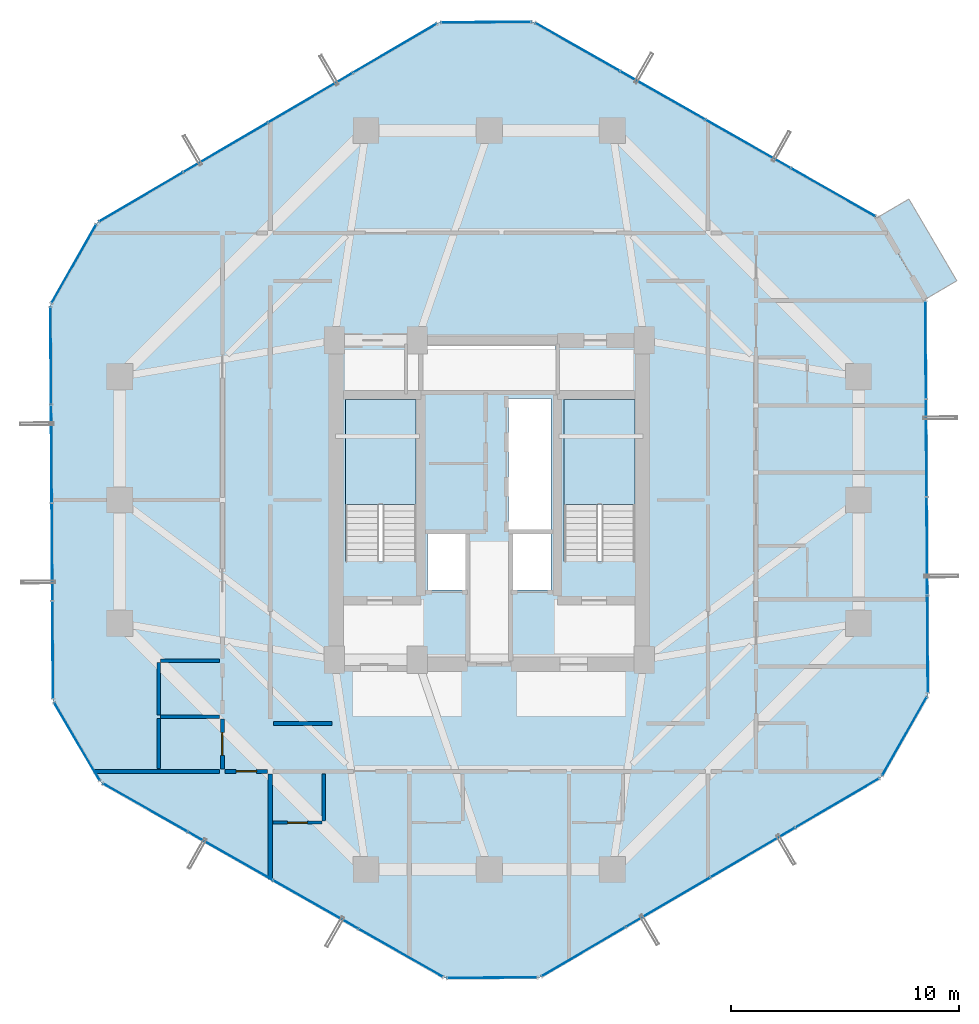
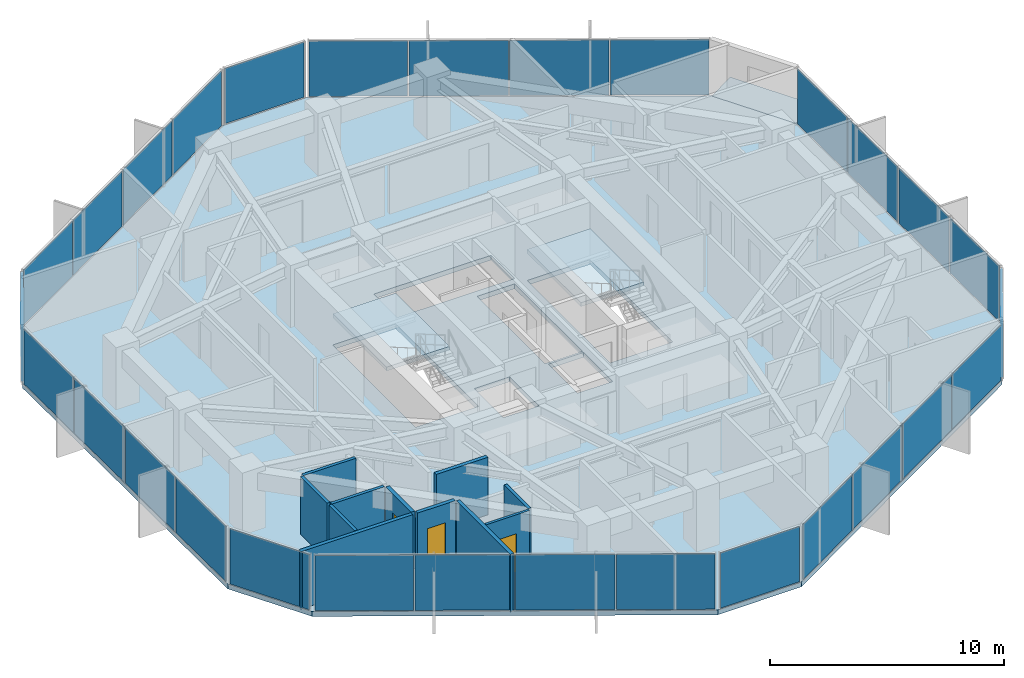
# One storey, part 25 of 30: 29 plates, 11 walls, 4 slabs, 3 doors, 3 openings, 13 elements without a shape of their own.
"""IFC4 building model written with IfcOpenShell, lengths in metres."""

from ifc_helpers import new_model, si_unit, direction, frame, frame_2d, origin, origin_2d, place, context, subcontext, project, spatial, polyline, rectangle, outline, extrude, source, transform, mapped, material, layer, layer_set, type_object, element, fill, aggregate, save


model = new_model("IFC4")

# Units and contexts
model_context = context("Model", 3, precision=1e-05, world=origin(), true_north=direction((0.0, 1.0)))
body_context = subcontext(model_context, "Body", "Model", "MODEL_VIEW")
ifc_project = project(units=[si_unit("LENGTHUNIT", "METRE"), si_unit("AREAUNIT", "SQUARE_METRE"), si_unit("VOLUMEUNIT", "CUBIC_METRE"), si_unit("PLANEANGLEUNIT", "RADIAN"), si_unit("MASSUNIT", "GRAM", prefix="KILO")], contexts=[model_context])

# Site, building, storey
site_placement = place(None, origin())
site = spatial("IfcSite", under=ifc_project, at=site_placement, CompositionType="ELEMENT")
building_placement = place(site_placement, origin())
building = spatial("IfcBuilding", under=site, at=building_placement, Name="Veraguas Prism Commons", CompositionType="ELEMENT")
storey_placement = place(building_placement, frame((0.0, 0.0, 129.5)))
storey = spatial("IfcBuildingStorey", under=building, at=storey_placement, Name="L36", CompositionType="ELEMENT", Elevation=129.5)

# Stair, slab
ifc_material_1 = material(Name="Precast concrete C45/55", Category="concrete")
stair_type = type_object("IfcStairType", Name="Dogleg Core Stair 1480W 20R 05", PredefinedType="HALF_TURN_STAIR", material=ifc_material_1)
stair_1_placement = place(storey_placement, origin())
stair_1 = element("IfcStair", 1, at=stair_1_placement, inside=storey, type_object=stair_type, Name="Protected Exit Stair ST-01 L36", PredefinedType="HALF_TURN_STAIR")
ifc_layer_1 = layer(ifc_material_1, 0.199951171875, Name="Precast Stair and Ramp Landing Slab 200", Category="concrete")
ifc_layer_set_1 = layer_set([ifc_layer_1], Name="Precast concrete C45/55")
slab_type_1 = type_object("IfcSlabType", Name="Precast Stair and Ramp Landing Slab 200", PredefinedType="LANDING", material=ifc_layer_set_1)
slab_1_placement = place(storey_placement, frame((0.0, 0.0, 1.425048828125)))
slab_1 = element("IfcSlab", 2, at=slab_1_placement, type_object=slab_type_1, Name="ST-05 Landing 1", PredefinedType="LANDING", context=body_context, shape_type="SweptSolid", body=[
    extrude(outline(polyline([(20.800048828125, 23.800048828125), (20.800048828125, 28.39990234375), (17.68994140625, 28.39990234375), (17.68994140625, 23.800048828125), (20.800048828125, 23.800048828125)])), origin(), (0.0, 0.0, 1.0), 0.199951171875),
])
aggregate(stair_1, [slab_1])

stair_2_placement = place(storey_placement, origin())
stair_2 = element("IfcStair", 3, at=stair_2_placement, inside=storey, type_object=stair_type, Name="Protected Exit Stair ST-02 L36", PredefinedType="HALF_TURN_STAIR")
slab_2_placement = place(storey_placement, frame((0.0, 0.0, 1.425048828125)))
slab_2 = element("IfcSlab", 4, at=slab_2_placement, type_object=slab_type_1, Name="ST-05 Landing 1", PredefinedType="LANDING", context=body_context, shape_type="SweptSolid", body=[
    extrude(outline(polyline([(30.39990234375, 23.800048828125), (30.39990234375, 28.39990234375), (27.2900390625, 28.39990234375), (27.2900390625, 23.800048828125), (30.39990234375, 23.800048828125)])), origin(), (0.0, 0.0, 1.0), 0.199951171875),
])
aggregate(stair_2, [slab_2])

# Slabs
ifc_material_2 = material(Name="Concrete C45/55", Category="concrete")
ifc_layer_2 = layer(ifc_material_2, 0.219970703125, Name="Recessed Loggia and Terrace Slab RC 220", Category="concrete")
ifc_layer_set_2 = layer_set([ifc_layer_2], Name="Concrete C45/55")
slab_type_2 = type_object("IfcSlabType", Name="Recessed Loggia and Terrace Slab RC 220", PredefinedType="FLOOR", material=ifc_layer_set_2)
slab_3_placement = place(storey_placement, frame((0.0, 0.0, -0.219970703125)))
element("IfcSlab", 5, at=slab_3_placement, inside=storey, type_object=slab_type_2, Name="Recessed Corner Loggia L36-C1", PredefinedType="FLOOR", context=body_context, shape_type="SweptSolid", body=[
    extrude(outline(polyline([(43.107177734375, 32.794189453125), (44.5048828125, 33.61328125), (42.404296875, 37.1962890625), (41.0068359375, 36.376953125), (43.107177734375, 32.794189453125)])), origin(), (0.0, 0.0, 1.0), 0.219970703125),
])
ifc_layer_3 = layer(ifc_material_2, 0.25, Name="Tower Lower Residential Floor Slab RC 250", Category="concrete")
ifc_layer_set_3 = layer_set([ifc_layer_3], Name="Concrete C45/55")
slab_type_3 = type_object("IfcSlabType", Name="Tower Lower Residential Floor Slab RC 250", PredefinedType="FLOOR", material=ifc_layer_set_3)
slab_4_placement = place(storey_placement, frame((0.0, 0.0, -0.25)))
element("IfcSlab", 6, at=slab_4_placement, inside=storey, type_object=slab_type_3, Name="Tower Floor Slab L36", PredefinedType="FLOOR", context=body_context, shape_type="SweptSolid", body=[
    extrude(outline(polyline([(43.12451171875, 32.80419921875), (41.024169921875, 36.38720703125), (25.9375, 44.96435546875), (21.784423828125, 44.93701171875), (6.81298828125, 36.16015625), (4.760498046875, 32.5498046875), (4.87548828125, 15.19580078125), (6.975830078125, 11.61279296875), (22.0625, 3.03564453125), (26.215576171875, 3.06298828125), (41.18701171875, 11.83984375), (43.239501953125, 15.4501953125), (43.12451171875, 32.80419921875)]), holes=[polyline([(20.800048828125, 21.31005859375), (20.800048828125, 28.39990234375), (17.68994140625, 28.39990234375), (17.68994140625, 21.31005859375), (20.800048828125, 21.31005859375)]), polyline([(30.39990234375, 21.31005859375), (30.39990234375, 28.39990234375), (27.2900390625, 28.39990234375), (27.2900390625, 21.31005859375), (30.39990234375, 21.31005859375)]), polyline([(24.85009765625, 22.64990234375), (26.699951171875, 22.64990234375), (26.699951171875, 28.449951171875), (24.85009765625, 28.449951171875), (24.85009765625, 22.64990234375)]), polyline([(21.10009765625, 28.800048828125), (26.89990234375, 28.800048828125), (26.89990234375, 30.800048828125), (21.10009765625, 30.800048828125), (21.10009765625, 28.800048828125)]), polyline([(21.300048828125, 20.050048828125), (23.050048828125, 20.050048828125), (23.050048828125, 22.550048828125), (21.300048828125, 22.550048828125), (21.300048828125, 20.050048828125)]), polyline([(24.949951171875, 20.050048828125), (26.699951171875, 20.050048828125), (26.699951171875, 22.550048828125), (24.949951171875, 22.550048828125), (24.949951171875, 20.050048828125)])]), origin(), (0.0, 0.0, 1.0), 0.25),
])

# Curtain wall, plates
ifc_material_3 = material(Name="Anodised aluminium EN AW-6063 T6", Category="aluminium")
ifc_layer_4 = layer(ifc_material_3, 0.169921875, Name="Unitised Flush Curtain Wall Zone 2", Category="aluminium")
ifc_layer_set_4 = layer_set([ifc_layer_4], Name="Anodised aluminium EN AW-6063 T6")
curtain_wall_type = type_object("IfcCurtainWallType", Name="Unitised Flush Curtain Wall Zone 2", PredefinedType="NOTDEFINED", material=ifc_layer_set_4)
curtain_wall_1_placement = place(storey_placement, origin())
curtain_wall_1 = element("IfcCurtainWall", 7, at=curtain_wall_1_placement, inside=storey, type_object=curtain_wall_type, Name="Tower Facade Curtain Wall L36-F1", PredefinedType="NOTDEFINED")
ifc_material_4 = material(Name="Laminated low-e glass", Category="glass")
ifc_layer_5 = layer(ifc_material_4, 0.028076171875, Name="Unitised Double Low-E Glazed Panel 28", Category="glass")
ifc_layer_set_5 = layer_set([ifc_layer_5], Name="Laminated low-e glass")
plate_type = type_object("IfcPlateType", Name="Unitised Double Low-E Glazed Panel 28", PredefinedType="CURTAIN_PANEL", material=ifc_layer_set_5)
shared_shape_1 = source(origin(), body_context, "Body", "SweptSolid", [
    extrude(rectangle(XDim=4.218505859375, YDim=0.028076171875, at=origin_2d()), origin(), (0.0, 0.0, 1.0), 2.889892578125),
])
plate_1_placement = place(storey_placement, frame((39.086181640625, 37.489013671875, 0.05517578125), z_axis=(0.0, 0.0, 1.0), x_axis=(-0.869323320918, 0.494243830218, 0.0)))
plate_1 = element("IfcPlate", 8, at=plate_1_placement, type_object=plate_type, Name="CW-Z2 Panel 1.1", PredefinedType="CURTAIN_PANEL", context=body_context, shape_type="MappedRepresentation", body=[
    mapped(shared_shape_1, transform((0.0, 0.0, 0.0), scale=1.0)),
])
plate_2_placement = place(storey_placement, frame((27.87548828125, 43.862548828125, 0.05517578125), z_axis=(0.0, 0.0, 1.0), x_axis=(-0.869323320918, 0.494243830218, 0.0)))
plate_2 = element("IfcPlate", 9, at=plate_2_placement, type_object=plate_type, Name="CW-Z2 Panel 4.1", PredefinedType="CURTAIN_PANEL", context=body_context, shape_type="MappedRepresentation", body=[
    mapped(shared_shape_1, transform((0.0, 0.0, 0.0), scale=1.0)),
])

curtain_wall_2_placement = place(storey_placement, origin())
curtain_wall_2 = element("IfcCurtainWall", 10, at=curtain_wall_2_placement, inside=storey, type_object=curtain_wall_type, Name="Tower Facade Curtain Wall L36-F2", PredefinedType="NOTDEFINED")
plate_3_placement = place(storey_placement, frame((19.861328125, 43.8095703125, 0.05517578125), z_axis=(0.0, 0.0, 1.0), x_axis=(-0.86268584238, -0.505740187604, 0.0)))
plate_3 = element("IfcPlate", 11, at=plate_3_placement, type_object=plate_type, Name="CW-Z2 Panel 1.1", PredefinedType="CURTAIN_PANEL", context=body_context, shape_type="MappedRepresentation", body=[
    mapped(shared_shape_1, transform((0.0, 0.0, 0.0), scale=1.0)),
])
plate_4_placement = place(storey_placement, frame((8.736328125, 37.28759765625, 0.05517578125), z_axis=(0.0, 0.0, 1.0), x_axis=(-0.86268584238, -0.505740187604, 0.0)))
plate_4 = element("IfcPlate", 12, at=plate_4_placement, type_object=plate_type, Name="CW-Z2 Panel 4.1", PredefinedType="CURTAIN_PANEL", context=body_context, shape_type="MappedRepresentation", body=[
    mapped(shared_shape_1, transform((0.0, 0.0, 0.0), scale=1.0)),
])

curtain_wall_3_placement = place(storey_placement, origin())
curtain_wall_3 = element("IfcCurtainWall", 13, at=curtain_wall_3_placement, inside=storey, type_object=curtain_wall_type, Name="Tower Facade Curtain Wall L36-F3", PredefinedType="NOTDEFINED")
plate_5_placement = place(storey_placement, frame((4.775146484375, 30.320556640625, 0.05517578125), z_axis=(0.0, 0.0, 1.0), x_axis=(0.006632202536, -0.999978006703, 0.0)))
plate_5 = element("IfcPlate", 14, at=plate_5_placement, type_object=plate_type, Name="CW-Z2 Panel 1.1", PredefinedType="CURTAIN_PANEL", context=body_context, shape_type="MappedRepresentation", body=[
    mapped(shared_shape_1, transform((0.0, 0.0, 0.0), scale=1.0)),
])
plate_6_placement = place(storey_placement, frame((4.860595703125, 17.425048828125, 0.05517578125), z_axis=(0.0, 0.0, 1.0), x_axis=(0.006632202536, -0.999978006703, 0.0)))
plate_6 = element("IfcPlate", 15, at=plate_6_placement, type_object=plate_type, Name="CW-Z2 Panel 4.1", PredefinedType="CURTAIN_PANEL", context=body_context, shape_type="MappedRepresentation", body=[
    mapped(shared_shape_1, transform((0.0, 0.0, 0.0), scale=1.0)),
])

curtain_wall_4_placement = place(storey_placement, origin())
curtain_wall_4 = element("IfcCurtainWall", 16, at=curtain_wall_4_placement, inside=storey, type_object=curtain_wall_type, Name="Tower Facade Curtain Wall L36-F4", PredefinedType="NOTDEFINED")
plate_7_placement = place(storey_placement, frame((8.913818359375, 10.510986328125, 0.05517578125), z_axis=(0.0, 0.0, 1.0), x_axis=(0.869323320918, -0.494243830218, 0.0)))
plate_7 = element("IfcPlate", 17, at=plate_7_placement, type_object=plate_type, Name="CW-Z2 Panel 1.1", PredefinedType="CURTAIN_PANEL", context=body_context, shape_type="MappedRepresentation", body=[
    mapped(shared_shape_1, transform((0.0, 0.0, 0.0), scale=1.0)),
])
plate_8_placement = place(storey_placement, frame((20.12451171875, 4.137451171875, 0.05517578125), z_axis=(0.0, 0.0, 1.0), x_axis=(0.869323320918, -0.494243830218, 0.0)))
plate_8 = element("IfcPlate", 18, at=plate_8_placement, type_object=plate_type, Name="CW-Z2 Panel 4.1", PredefinedType="CURTAIN_PANEL", context=body_context, shape_type="MappedRepresentation", body=[
    mapped(shared_shape_1, transform((0.0, 0.0, 0.0), scale=1.0)),
])

curtain_wall_5_placement = place(storey_placement, origin())
curtain_wall_5 = element("IfcCurtainWall", 19, at=curtain_wall_5_placement, inside=storey, type_object=curtain_wall_type, Name="Tower Facade Curtain Wall L36-F5", PredefinedType="NOTDEFINED")
plate_9_placement = place(storey_placement, frame((28.138671875, 4.1904296875, 0.05517578125), z_axis=(0.0, 0.0, 1.0), x_axis=(0.86268584238, 0.505740187604, 0.0)))
plate_9 = element("IfcPlate", 20, at=plate_9_placement, type_object=plate_type, Name="CW-Z2 Panel 1.1", PredefinedType="CURTAIN_PANEL", context=body_context, shape_type="MappedRepresentation", body=[
    mapped(shared_shape_1, transform((0.0, 0.0, 0.0), scale=1.0)),
])
plate_10_placement = place(storey_placement, frame((39.263671875, 10.71240234375, 0.05517578125), z_axis=(0.0, 0.0, 1.0), x_axis=(0.86268584238, 0.505740187604, 0.0)))
plate_10 = element("IfcPlate", 21, at=plate_10_placement, type_object=plate_type, Name="CW-Z2 Panel 4.1", PredefinedType="CURTAIN_PANEL", context=body_context, shape_type="MappedRepresentation", body=[
    mapped(shared_shape_1, transform((0.0, 0.0, 0.0), scale=1.0)),
])

curtain_wall_6_placement = place(storey_placement, origin())
curtain_wall_6 = element("IfcCurtainWall", 22, at=curtain_wall_6_placement, inside=storey, type_object=curtain_wall_type, Name="Tower Facade Curtain Wall L36-F6", PredefinedType="NOTDEFINED")
plate_11_placement = place(storey_placement, frame((43.224853515625, 17.679443359375, 0.05517578125), z_axis=(0.0, 0.0, 1.0), x_axis=(-0.006632202536, 0.999978006703, 0.0)))
plate_11 = element("IfcPlate", 23, at=plate_11_placement, type_object=plate_type, Name="CW-Z2 Panel 1.1", PredefinedType="CURTAIN_PANEL", context=body_context, shape_type="MappedRepresentation", body=[
    mapped(shared_shape_1, transform((0.0, 0.0, 0.0), scale=1.0)),
])
plate_12_placement = place(storey_placement, frame((43.139404296875, 30.574951171875, 0.05517578125), z_axis=(0.0, 0.0, 1.0), x_axis=(-0.006632202536, 0.999978006703, 0.0)))
plate_12 = element("IfcPlate", 24, at=plate_12_placement, type_object=plate_type, Name="CW-Z2 Panel 4.1", PredefinedType="CURTAIN_PANEL", context=body_context, shape_type="MappedRepresentation", body=[
    mapped(shared_shape_1, transform((0.0, 0.0, 0.0), scale=1.0)),
])

# Plate
shared_shape_2 = source(origin(), body_context, "Body", "SweptSolid", [
    extrude(rectangle(XDim=4.24853515625, YDim=0.028076171875, at=origin_2d()), origin(), (0.0, 0.0, 1.0), 2.889892578125),
])
plate_13_placement = place(storey_placement, frame((35.353515625, 39.611083984375, 0.05517578125), z_axis=(0.0, 0.0, 1.0), x_axis=(-0.869323320918, 0.494243830218, 0.0)))
plate_13 = element("IfcPlate", 25, at=plate_13_placement, type_object=plate_type, Name="CW-Z2 Panel 2.1", PredefinedType="CURTAIN_PANEL", context=body_context, shape_type="MappedRepresentation", body=[
    mapped(shared_shape_2, transform((0.0, 0.0, 0.0), scale=1.0)),
])

plate_14_placement = place(storey_placement, frame((31.608154296875, 41.740478515625, 0.05517578125), z_axis=(0.0, 0.0, 1.0), x_axis=(-0.869323320918, 0.494243830218, 0.0)))
plate_14 = element("IfcPlate", 26, at=plate_14_placement, type_object=plate_type, Name="CW-Z2 Panel 3.1", PredefinedType="CURTAIN_PANEL", context=body_context, shape_type="MappedRepresentation", body=[
    mapped(shared_shape_2, transform((0.0, 0.0, 0.0), scale=1.0)),
])

aggregate(curtain_wall_1, [plate_1, plate_13, plate_14, plate_2])

plate_15_placement = place(storey_placement, frame((16.1572265625, 41.63818359375, 0.05517578125), z_axis=(0.0, 0.0, 1.0), x_axis=(-0.86268584238, -0.505740187604, 0.0)))
plate_15 = element("IfcPlate", 27, at=plate_15_placement, type_object=plate_type, Name="CW-Z2 Panel 2.1", PredefinedType="CURTAIN_PANEL", context=body_context, shape_type="MappedRepresentation", body=[
    mapped(shared_shape_2, transform((0.0, 0.0, 0.0), scale=1.0)),
])

plate_16_placement = place(storey_placement, frame((12.4404296875, 39.458984375, 0.05517578125), z_axis=(0.0, 0.0, 1.0), x_axis=(-0.86268584238, -0.505740187604, 0.0)))
plate_16 = element("IfcPlate", 28, at=plate_16_placement, type_object=plate_type, Name="CW-Z2 Panel 3.1", PredefinedType="CURTAIN_PANEL", context=body_context, shape_type="MappedRepresentation", body=[
    mapped(shared_shape_2, transform((0.0, 0.0, 0.0), scale=1.0)),
])

aggregate(curtain_wall_2, [plate_3, plate_15, plate_16, plate_4])

plate_17_placement = place(storey_placement, frame((4.8037109375, 26.027099609375, 0.05517578125), z_axis=(0.0, 0.0, 1.0), x_axis=(0.006632202536, -0.999978006703, 0.0)))
plate_17 = element("IfcPlate", 29, at=plate_17_placement, type_object=plate_type, Name="CW-Z2 Panel 2.1", PredefinedType="CURTAIN_PANEL", context=body_context, shape_type="MappedRepresentation", body=[
    mapped(shared_shape_2, transform((0.0, 0.0, 0.0), scale=1.0)),
])

plate_18_placement = place(storey_placement, frame((4.832275390625, 21.718505859375, 0.05517578125), z_axis=(0.0, 0.0, 1.0), x_axis=(0.006632202536, -0.999978006703, 0.0)))
plate_18 = element("IfcPlate", 30, at=plate_18_placement, type_object=plate_type, Name="CW-Z2 Panel 3.1", PredefinedType="CURTAIN_PANEL", context=body_context, shape_type="MappedRepresentation", body=[
    mapped(shared_shape_2, transform((0.0, 0.0, 0.0), scale=1.0)),
])

aggregate(curtain_wall_3, [plate_5, plate_17, plate_18, plate_6])

plate_19_placement = place(storey_placement, frame((12.646484375, 8.388916015625, 0.05517578125), z_axis=(0.0, 0.0, 1.0), x_axis=(0.869323320918, -0.494243830218, 0.0)))
plate_19 = element("IfcPlate", 31, at=plate_19_placement, type_object=plate_type, Name="CW-Z2 Panel 2.1", PredefinedType="CURTAIN_PANEL", context=body_context, shape_type="MappedRepresentation", body=[
    mapped(shared_shape_2, transform((0.0, 0.0, 0.0), scale=1.0)),
])

plate_20_placement = place(storey_placement, frame((16.391845703125, 6.259521484375, 0.05517578125), z_axis=(0.0, 0.0, 1.0), x_axis=(0.869323320918, -0.494243830218, 0.0)))
plate_20 = element("IfcPlate", 32, at=plate_20_placement, type_object=plate_type, Name="CW-Z2 Panel 3.1", PredefinedType="CURTAIN_PANEL", context=body_context, shape_type="MappedRepresentation", body=[
    mapped(shared_shape_2, transform((0.0, 0.0, 0.0), scale=1.0)),
])

aggregate(curtain_wall_4, [plate_7, plate_19, plate_20, plate_8])

plate_21_placement = place(storey_placement, frame((31.8427734375, 6.36181640625, 0.05517578125), z_axis=(0.0, 0.0, 1.0), x_axis=(0.86268584238, 0.505740187604, 0.0)))
plate_21 = element("IfcPlate", 33, at=plate_21_placement, type_object=plate_type, Name="CW-Z2 Panel 2.1", PredefinedType="CURTAIN_PANEL", context=body_context, shape_type="MappedRepresentation", body=[
    mapped(shared_shape_2, transform((0.0, 0.0, 0.0), scale=1.0)),
])

plate_22_placement = place(storey_placement, frame((35.5595703125, 8.541015625, 0.05517578125), z_axis=(0.0, 0.0, 1.0), x_axis=(0.86268584238, 0.505740187604, 0.0)))
plate_22 = element("IfcPlate", 34, at=plate_22_placement, type_object=plate_type, Name="CW-Z2 Panel 3.1", PredefinedType="CURTAIN_PANEL", context=body_context, shape_type="MappedRepresentation", body=[
    mapped(shared_shape_2, transform((0.0, 0.0, 0.0), scale=1.0)),
])

aggregate(curtain_wall_5, [plate_9, plate_21, plate_22, plate_10])

plate_23_placement = place(storey_placement, frame((43.1962890625, 21.972900390625, 0.05517578125), z_axis=(0.0, 0.0, 1.0), x_axis=(-0.006632202536, 0.999978006703, 0.0)))
plate_23 = element("IfcPlate", 35, at=plate_23_placement, type_object=plate_type, Name="CW-Z2 Panel 2.1", PredefinedType="CURTAIN_PANEL", context=body_context, shape_type="MappedRepresentation", body=[
    mapped(shared_shape_2, transform((0.0, 0.0, 0.0), scale=1.0)),
])

plate_24_placement = place(storey_placement, frame((43.167724609375, 26.281494140625, 0.05517578125), z_axis=(0.0, 0.0, 1.0), x_axis=(-0.006632202536, 0.999978006703, 0.0)))
plate_24 = element("IfcPlate", 36, at=plate_24_placement, type_object=plate_type, Name="CW-Z2 Panel 3.1", PredefinedType="CURTAIN_PANEL", context=body_context, shape_type="MappedRepresentation", body=[
    mapped(shared_shape_2, transform((0.0, 0.0, 0.0), scale=1.0)),
])

aggregate(curtain_wall_6, [plate_11, plate_23, plate_24, plate_12])

# Curtain wall, plate
curtain_wall_7_placement = place(storey_placement, origin())
curtain_wall_7 = element("IfcCurtainWall", 37, at=curtain_wall_7_placement, inside=storey, type_object=curtain_wall_type, Name="Chamfer Curtain Wall L36-C2", PredefinedType="NOTDEFINED")
shared_shape_3 = source(origin(), body_context, "Body", "SweptSolid", [
    extrude(rectangle(XDim=3.9130859375, YDim=0.028076171875, at=origin_2d()), origin(), (0.0, 0.0, 1.0), 2.889892578125),
])
plate_25_placement = place(storey_placement, frame((23.861083984375, 44.95068359375, 0.05517578125), z_axis=(0.0, 0.0, 1.0), x_axis=(-0.999978087656, -0.006619985499, 0.0)))
plate_25 = element("IfcPlate", 38, at=plate_25_placement, type_object=plate_type, Name="CW-Z2 Panel 1.1", PredefinedType="CURTAIN_PANEL", context=body_context, shape_type="MappedRepresentation", body=[
    mapped(shared_shape_3, transform((0.0, 0.0, 0.0), scale=1.0)),
])
aggregate(curtain_wall_7, [plate_25])

curtain_wall_8_placement = place(storey_placement, origin())
curtain_wall_8 = element("IfcCurtainWall", 39, at=curtain_wall_8_placement, inside=storey, type_object=curtain_wall_type, Name="Chamfer Curtain Wall L36-C3", PredefinedType="NOTDEFINED")
plate_26_placement = place(storey_placement, frame((5.786865234375, 34.35498046875, 0.05517578125), z_axis=(0.0, 0.0, 1.0), x_axis=(-0.494243830218, -0.869323320918, 0.0)))
plate_26 = element("IfcPlate", 40, at=plate_26_placement, type_object=plate_type, Name="CW-Z2 Panel 1.1", PredefinedType="CURTAIN_PANEL", context=body_context, shape_type="MappedRepresentation", body=[
    mapped(shared_shape_3, transform((0.0, 0.0, 0.0), scale=1.0)),
])
aggregate(curtain_wall_8, [plate_26])

curtain_wall_9_placement = place(storey_placement, origin())
curtain_wall_9 = element("IfcCurtainWall", 41, at=curtain_wall_9_placement, inside=storey, type_object=curtain_wall_type, Name="Chamfer Curtain Wall L36-C4", PredefinedType="NOTDEFINED")
plate_27_placement = place(storey_placement, frame((5.92578125, 13.404296875, 0.05517578125), z_axis=(0.0, 0.0, 1.0), x_axis=(0.505758255543, -0.862675249993, 0.0)))
plate_27 = element("IfcPlate", 42, at=plate_27_placement, type_object=plate_type, Name="CW-Z2 Panel 1.1", PredefinedType="CURTAIN_PANEL", context=body_context, shape_type="MappedRepresentation", body=[
    mapped(shared_shape_3, transform((0.0, 0.0, 0.0), scale=1.0)),
])
aggregate(curtain_wall_9, [plate_27])

curtain_wall_10_placement = place(storey_placement, origin())
curtain_wall_10 = element("IfcCurtainWall", 43, at=curtain_wall_10_placement, inside=storey, type_object=curtain_wall_type, Name="Chamfer Curtain Wall L36-C5", PredefinedType="NOTDEFINED")
plate_28_placement = place(storey_placement, frame((24.138916015625, 3.04931640625, 0.05517578125), z_axis=(0.0, 0.0, 1.0), x_axis=(0.999978087656, 0.006619985499, 0.0)))
plate_28 = element("IfcPlate", 44, at=plate_28_placement, type_object=plate_type, Name="CW-Z2 Panel 1.1", PredefinedType="CURTAIN_PANEL", context=body_context, shape_type="MappedRepresentation", body=[
    mapped(shared_shape_3, transform((0.0, 0.0, 0.0), scale=1.0)),
])
aggregate(curtain_wall_10, [plate_28])

curtain_wall_11_placement = place(storey_placement, origin())
curtain_wall_11 = element("IfcCurtainWall", 45, at=curtain_wall_11_placement, inside=storey, type_object=curtain_wall_type, Name="Chamfer Curtain Wall L36-C6", PredefinedType="NOTDEFINED")
plate_29_placement = place(storey_placement, frame((42.213134765625, 13.64501953125, 0.05517578125), z_axis=(0.0, 0.0, 1.0), x_axis=(0.494243830218, 0.869323320918, 0.0)))
plate_29 = element("IfcPlate", 46, at=plate_29_placement, type_object=plate_type, Name="CW-Z2 Panel 1.1", PredefinedType="CURTAIN_PANEL", context=body_context, shape_type="MappedRepresentation", body=[
    mapped(shared_shape_3, transform((0.0, 0.0, 0.0), scale=1.0)),
])
aggregate(curtain_wall_11, [plate_29])

# Walls
ifc_material_5 = material(Name="Autoclaved aerated masonry block 10 MPa", Category="masonry")
ifc_layer_6 = layer(ifc_material_5, 0.179931640625, Name="Corridor and Inter-Tenancy Partition 180", Category="masonry")
ifc_layer_set_6 = layer_set([ifc_layer_6], Name="Autoclaved aerated masonry block 10 MPa")
wall_type_1 = type_object("IfcWallType", Name="Corridor and Inter-Tenancy Partition 180", PredefinedType="PARTITIONING", material=ifc_layer_set_6)
wall_1_placement = place(storey_placement, frame((14.550048828125, 14.199951171875, 0.0), z_axis=(0.0, 0.0, 1.0), x_axis=(1.0, 0.0, 0.0)))
element("IfcWall", 47, at=wall_1_placement, inside=storey, type_object=wall_type_1, Name="WL-L36-IRWS", PredefinedType="PARTITIONING", context=body_context, shape_type="SweptSolid", body=[
    extrude(rectangle(XDim=2.550048828125, YDim=0.179931640625, at=frame_2d((1.27490234375, 0.0))), origin(), (0.0, 0.0, 1.0), 3.0),
])
wall_2_placement = place(storey_placement, frame((14.39990234375, 11.97998046875, 0.0), z_axis=(0.0, 0.0, 1.0), x_axis=(0.0, -1.0, 0.0)))
element("IfcWall", 48, at=wall_2_placement, inside=storey, type_object=wall_type_1, Name="WL-L36-PT001", PredefinedType="PARTITIONING", context=body_context, shape_type="SweptSolid", body=[
    extrude(rectangle(XDim=4.62255859375, YDim=0.179931640625, at=frame_2d((2.311279296875, 0.0))), origin(), (0.0, 0.0, 1.0), 3.0),
])
wall_3_placement = place(storey_placement, frame((12.179931640625, 12.10009765625, 0.0), z_axis=(0.0, 0.0, 1.0), x_axis=(-1.0, 0.0, 0.0)))
element("IfcWall", 49, at=wall_3_placement, inside=storey, type_object=wall_type_1, Name="WL-L36-PT018", PredefinedType="PARTITIONING", context=body_context, shape_type="SweptSolid", body=[
    extrude(rectangle(XDim=5.5244140625, YDim=0.179931640625, at=frame_2d((2.76220703125, 0.0))), origin(), (0.0, 0.0, 1.0), 3.0),
])

# Wall, opening, door
wall_4_placement = place(storey_placement, frame((12.300048828125, 12.2099609375, 0.0), z_axis=(0.0, 0.0, 1.0), x_axis=(0.0, 1.0, 0.0)))
wall_4 = element("IfcWall", 50, at=wall_4_placement, inside=storey, type_object=wall_type_1, Name="WL-L36-PT020", PredefinedType="PARTITIONING", context=body_context, shape_type="SweptSolid", body=[
    extrude(rectangle(XDim=2.179931640625, YDim=0.179931640625, at=frame_2d((1.08984375, 0.0))), origin(), (0.0, 0.0, 1.0), 3.0),
])
opening_1_placement = place(wall_4_placement, frame((0.590087890625, 0.0, 0.0)))
opening_1 = element("IfcOpeningElement", 51, at=opening_1_placement, cuts=wall_4, Name="Opening DR-13", PredefinedType="OPENING", context=body_context, shape_type="SweptSolid", body=[
    extrude(rectangle(XDim=1.0, YDim=2.010009765625, at=frame_2d((0.5, 1.0048828125))), frame((0.0, 0.099853515625, 0.0), z_axis=(0.0, -1.0, 0.0), x_axis=(1.0, 0.0, 0.0)), (0.0, 0.0, 1.0), 0.199951171875),
])
ifc_material_6 = material(Name="Steel fire-rated door assembly", Category="steel")
door_type_1 = type_object("IfcDoorType", Name="Core Accessible WC and Clinic Fire Door 1000x2010", OperationType="NOTDEFINED", PredefinedType="DOOR", material=ifc_material_6)
shared_shape_4 = source(origin(), body_context, "Body", "SweptSolid", [
    extrude(rectangle(XDim=1.0, YDim=2.010009765625, at=frame_2d((0.5, 1.0048828125))), frame((0.0, 0.02490234375, 0.0), z_axis=(0.0, -1.0, 0.0), x_axis=(1.0, 0.0, 0.0)), (0.0, 0.0, 1.0), 0.050048828125),
])
door_1_placement = place(opening_1_placement, origin())
door_1 = element("IfcDoor", 52, at=door_1_placement, inside=storey, type_object=door_type_1, Name="Public WC L36 Door", OperationType="SINGLE_SWING_LEFT", OverallHeight=2.010009765625, OverallWidth=1.0, PredefinedType="DOOR", context=body_context, shape_type="MappedRepresentation", body=[
    mapped(shared_shape_4, transform((0.0, 0.0, 0.0), scale=1.0)),
])
fill(opening_1, door_1)

wall_5_placement = place(storey_placement, frame((12.419921875, 12.10009765625, 0.0), z_axis=(0.0, 0.0, 1.0), x_axis=(1.0, 0.0, 0.0)))
wall_5 = element("IfcWall", 53, at=wall_5_placement, inside=storey, type_object=wall_type_1, Name="WL-L36-PT048", PredefinedType="PARTITIONING", context=body_context, shape_type="SweptSolid", body=[
    extrude(rectangle(XDim=1.860107421875, YDim=0.179931640625, at=frame_2d((0.93017578125, 0.0))), origin(), (0.0, 0.0, 1.0), 3.0),
])
opening_2_placement = place(wall_5_placement, frame((0.47998046875, 0.0, 0.0)))
opening_2 = element("IfcOpeningElement", 54, at=opening_2_placement, cuts=wall_5, Name="Opening DR-14", PredefinedType="OPENING", context=body_context, shape_type="SweptSolid", body=[
    extrude(rectangle(XDim=0.89990234375, YDim=2.010009765625, at=frame_2d((0.449951171875, 1.0048828125))), frame((0.0, 0.099853515625, 0.0), z_axis=(0.0, -1.0, 0.0), x_axis=(1.0, 0.0, 0.0)), (0.0, 0.0, 1.0), 0.199951171875),
])
door_type_2 = type_object("IfcDoorType", Name="Core Service Room Fire Door 900x2010", OperationType="NOTDEFINED", PredefinedType="DOOR", material=ifc_material_6)
shared_shape_5 = source(origin(), body_context, "Body", "SweptSolid", [
    extrude(rectangle(XDim=0.89990234375, YDim=2.010009765625, at=frame_2d((0.449951171875, 1.0048828125))), frame((0.0, 0.02490234375, 0.0), z_axis=(0.0, -1.0, 0.0), x_axis=(1.0, 0.0, 0.0)), (0.0, 0.0, 1.0), 0.050048828125),
])
door_2_placement = place(opening_2_placement, origin())
door_2 = element("IfcDoor", 55, at=door_2_placement, inside=storey, type_object=door_type_2, Name="Corner Study SW Door", OperationType="SINGLE_SWING_RIGHT", OverallHeight=2.010009765625, OverallWidth=0.89990234375, PredefinedType="DOOR", context=body_context, shape_type="MappedRepresentation", body=[
    mapped(shared_shape_5, transform((0.0, 0.0, 0.0), scale=1.0)),
])
fill(opening_2, door_2)

ifc_material_7 = material(Name="Lightweight acoustic gypsum board")
ifc_layer_7 = layer(ifc_material_7, 0.125, Name="Internal Apartment Room Partition 125")
ifc_layer_set_7 = layer_set([ifc_layer_7], Name="Lightweight acoustic gypsum board")
wall_type_2 = type_object("IfcWallType", Name="Internal Apartment Room Partition 125", PredefinedType="PARTITIONING", material=ifc_layer_set_7)
wall_6_placement = place(storey_placement, frame((14.52001953125, 9.85009765625, 0.0), z_axis=(0.0, 0.0, 1.0), x_axis=(1.0, 0.0, 0.0)))
wall_6 = element("IfcWall", 56, at=wall_6_placement, inside=storey, type_object=wall_type_2, Name="WL-L36-PT005", PredefinedType="PARTITIONING", context=body_context, shape_type="SweptSolid", body=[
    extrude(rectangle(XDim=2.14990234375, YDim=0.125, at=frame_2d((1.074951171875, 0.0))), origin(), (0.0, 0.0, 1.0), 3.0),
])
opening_3_placement = place(wall_6_placement, frame((0.64501953125, 0.0, 0.0)))
opening_3 = element("IfcOpeningElement", 57, at=opening_3_placement, cuts=wall_6, Name="Opening DR-03", PredefinedType="OPENING", context=body_context, shape_type="SweptSolid", body=[
    extrude(rectangle(XDim=0.860107421875, YDim=2.010009765625, at=frame_2d((0.43017578125, 1.0048828125))), frame((0.0, 0.072509765625, 0.0), z_axis=(0.0, -1.0, 0.0), x_axis=(1.0, 0.0, 0.0)), (0.0, 0.0, 1.0), 0.14501953125),
])
ifc_material_8 = material(Name="Timber moisture-resistant leaf", Category="wood")
door_type_3 = type_object("IfcDoorType", Name="Internal Bathroom Door 860x2010", OperationType="NOTDEFINED", PredefinedType="DOOR", material=ifc_material_8)
shared_shape_6 = source(origin(), body_context, "Body", "SweptSolid", [
    extrude(rectangle(XDim=0.860107421875, YDim=2.010009765625, at=frame_2d((0.43017578125, 1.0048828125))), frame((0.0, 0.02490234375, 0.0), z_axis=(0.0, -1.0, 0.0), x_axis=(1.0, 0.0, 0.0)), (0.0, 0.0, 1.0), 0.050048828125),
])
door_3_placement = place(opening_3_placement, origin())
door_3 = element("IfcDoor", 58, at=door_3_placement, inside=storey, type_object=door_type_3, Name="Studio 36A Bathroom Door", OperationType="SINGLE_SWING_RIGHT", OverallHeight=2.010009765625, OverallWidth=0.860107421875, PredefinedType="DOOR", context=body_context, shape_type="MappedRepresentation", body=[
    mapped(shared_shape_6, transform((0.0, 0.0, 0.0), scale=1.0)),
])
fill(opening_3, door_3)

# Walls
ifc_layer_8 = layer(ifc_material_7, 0.14990234375, Name="Wet Room and Clinic Acoustic Partition 150")
ifc_layer_set_8 = layer_set([ifc_layer_8], Name="Lightweight acoustic gypsum board")
wall_type_3 = type_object("IfcWallType", Name="Wet Room and Clinic Acoustic Partition 150", PredefinedType="PARTITIONING", material=ifc_layer_set_8)
wall_7_placement = place(storey_placement, frame((16.75, 11.97998046875, 0.0), z_axis=(0.0, 0.0, 1.0), x_axis=(0.0, -1.0, 0.0)))
element("IfcWall", 59, at=wall_7_placement, inside=storey, type_object=wall_type_3, Name="WL-L36-PT004", PredefinedType="PARTITIONING", context=body_context, shape_type="SweptSolid", body=[
    extrude(rectangle(XDim=2.050048828125, YDim=0.14990234375, at=frame_2d((1.02490234375, 0.0))), origin(), (0.0, 0.0, 1.0), 3.0),
])
for number, where, z_axis, x_axis, name in (
    (60, (12.179931640625, 14.5, 0.0), (0.0, 0.0, 1.0), (-1.0, 0.0, 0.0), "WL-L36-PT024"),
    (61, (12.179931640625, 16.949951171875, 0.0), (0.0, 0.0, 1.0), (-1.0, 0.0, 0.0), "WL-L36-PT025"),
):
    element("IfcWall", number, at=place(storey_placement, frame(where, z_axis=z_axis, x_axis=x_axis)), inside=storey, type_object=wall_type_3, Name=name, PredefinedType="PARTITIONING", context=body_context, shape_type="SweptSolid", body=[
        extrude(rectangle(XDim=2.599853515625, YDim=0.14990234375, at=frame_2d((1.2998046875, 0.0))), origin(), (0.0, 0.0, 1.0), 3.0),
    ])
wall_8_placement = place(storey_placement, frame((9.5, 12.219970703125, 0.0), z_axis=(0.0, 0.0, 1.0), x_axis=(0.0, 1.0, 0.0)))
element("IfcWall", 62, at=wall_8_placement, inside=storey, type_object=wall_type_3, Name="WL-L36-PT026", PredefinedType="PARTITIONING", context=body_context, shape_type="SweptSolid", body=[
    extrude(rectangle(XDim=2.199951171875, YDim=0.14990234375, at=frame_2d((1.10009765625, 0.0))), origin(), (0.0, 0.0, 1.0), 3.0),
])
wall_9_placement = place(storey_placement, frame((9.5, 14.580078125, 0.0), z_axis=(0.0, 0.0, 1.0), x_axis=(0.0, 1.0, 0.0)))
element("IfcWall", 63, at=wall_9_placement, inside=storey, type_object=wall_type_3, Name="WL-L36-PT027", PredefinedType="PARTITIONING", context=body_context, shape_type="SweptSolid", body=[
    extrude(rectangle(XDim=2.2900390625, YDim=0.14990234375, at=frame_2d((1.14501953125, 0.0))), origin(), (0.0, 0.0, 1.0), 3.0),
])

save(model, "model.ifc")
